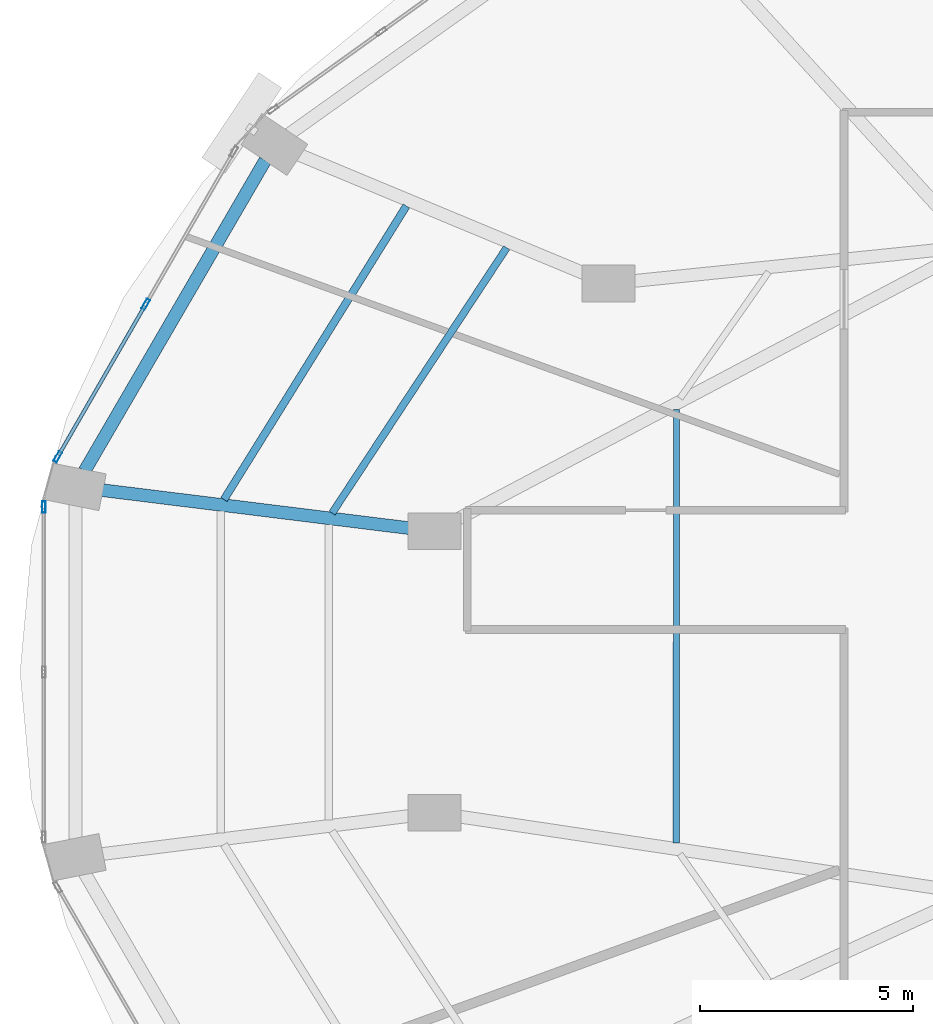
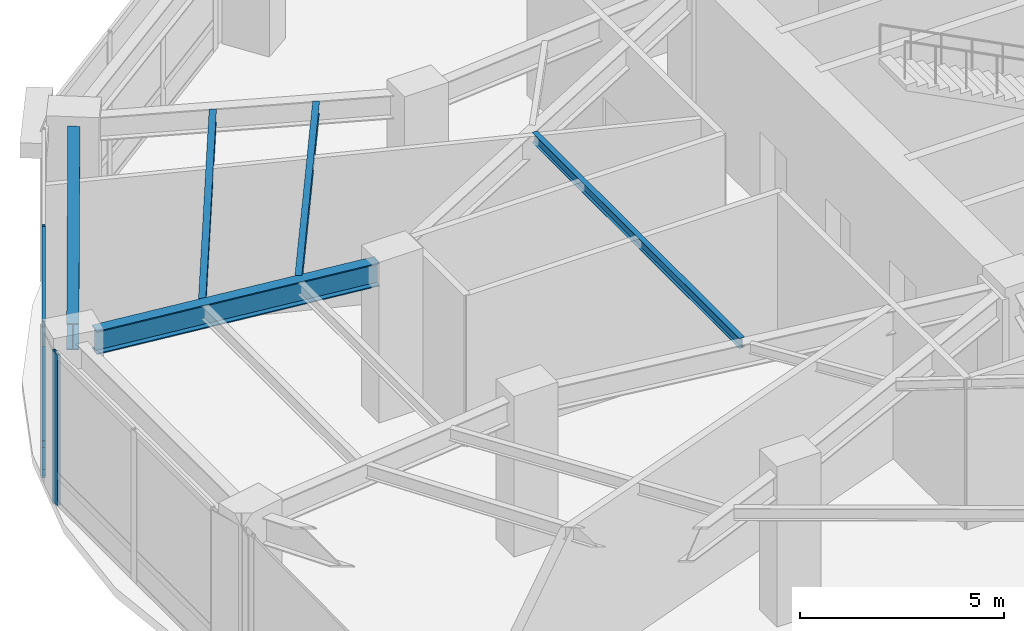
# One storey, part 8 of 24: 6 members, 5 beams, 2 elements without a shape of their own.
"""IFC4 building model written with IfcOpenShell, lengths in metres."""

from ifc_helpers import new_model, si_unit, direction, frame, origin, origin_2d, place, context, subcontext, project, spatial, hollow_rectangle, i_section, extrude, material, layer, layer_set, material_profile, profile_set, type_object, element, aggregate, save


model = new_model("IFC4")

# Units and contexts
model_context = context("Model", 3, precision=1e-05, world=origin(), true_north=direction((0.0, 1.0)))
body_context = subcontext(model_context, "Body", "Model", "MODEL_VIEW")
ifc_project = project(units=[si_unit("LENGTHUNIT", "METRE"), si_unit("AREAUNIT", "SQUARE_METRE"), si_unit("VOLUMEUNIT", "CUBIC_METRE"), si_unit("PLANEANGLEUNIT", "RADIAN"), si_unit("MASSUNIT", "GRAM", prefix="KILO")], contexts=[model_context])

# Site, building, storey
site_placement = place(None, origin())
site = spatial("IfcSite", under=ifc_project, at=site_placement, CompositionType="ELEMENT")
building_placement = place(site_placement, origin())
building = spatial("IfcBuilding", under=site, at=building_placement, Name="Lazwardi Medical Tower", CompositionType="ELEMENT")
storey_placement = place(building_placement, frame((0.0, 0.0, 15.60009765625)))
storey = spatial("IfcBuildingStorey", under=building, at=storey_placement, Name="L03", CompositionType="ELEMENT", Elevation=15.60009765625)

# Beams
ifc_material_1 = material(Name="Steel S355", Category="steel")
ifc_material_profile_1 = material_profile(ifc_material_1, i_section(OverallWidth=0.300048828125, OverallDepth=0.800048828125, WebThickness=0.017578125, FlangeThickness=0.032958984375, at=origin_2d()), Name="HEB 800")
ifc_profile_set_1 = profile_set([ifc_material_profile_1], Name="Steel S355")
beam_type_1 = type_object("IfcBeamType", Name="BM-RB-P1", PredefinedType="BEAM", material=ifc_profile_set_1)
beam_1_placement = place(storey_placement, frame((9.7587890625, 37.617431640625, 4.119873046875), z_axis=(-0.502605874383, -0.864515665003, 0.0), x_axis=(0.864515665003, -0.502605874383, 0.0)))
element("IfcBeam", 1, at=beam_1_placement, inside=storey, type_object=beam_type_1, Name="Ring beam RB-01 B11 L03", PredefinedType="BEAM", context=body_context, shape_type="SweptSolid", body=[
    extrude(i_section(OverallWidth=0.300048828125, OverallDepth=0.800048828125, WebThickness=0.017578125, FlangeThickness=0.032958984375, at=origin_2d()), origin(), (0.0, 0.0, 1.0), 8.4384765625),
])
ifc_material_profile_2 = material_profile(ifc_material_1, i_section(OverallWidth=0.300048828125, OverallDepth=0.699951171875, WebThickness=0.01708984375, FlangeThickness=0.031982421875, at=origin_2d()), Name="HEB 700")
ifc_profile_set_2 = profile_set([ifc_material_profile_2], Name="Steel S355")
beam_type_2 = type_object("IfcBeamType", Name="BM-RG-P1", PredefinedType="BEAM", material=ifc_profile_set_2)
beam_2_placement = place(storey_placement, frame((5.876953125, 29.879150390625, 4.169921875), z_axis=(0.992421549031, -0.122879896728, 0.0), x_axis=(0.122879896728, 0.992421549031, 0.0)))
element("IfcBeam", 2, at=beam_2_placement, inside=storey, type_object=beam_type_2, Name="Radial girder RG-01 R12A L03", PredefinedType="BEAM", context=body_context, shape_type="SweptSolid", body=[
    extrude(i_section(OverallWidth=0.300048828125, OverallDepth=0.699951171875, WebThickness=0.01708984375, FlangeThickness=0.031982421875, at=origin_2d()), origin(), (0.0, 0.0, 1.0), 7.52001953125),
])
ifc_material_profile_3 = material_profile(ifc_material_1, i_section(OverallWidth=0.179931640625, OverallDepth=0.39990234375, WebThickness=0.008544921875, FlangeThickness=0.013427734375, at=origin_2d()), Name="IPE 400")
ifc_profile_set_3 = profile_set([ifc_material_profile_3], Name="Steel S355")
beam_type_3 = type_object("IfcBeamType", Name="BM-SJ-01", PredefinedType="JOIST", material=ifc_profile_set_3)
beam_3_placement = place(storey_placement, frame((13.072509765625, 36.54541015625, 4.31982421875), z_axis=(-0.527696026634, -0.84943328371, 0.0), x_axis=(0.84943328371, -0.527696026634, 0.0)))
element("IfcBeam", 3, at=beam_3_placement, inside=storey, type_object=beam_type_3, Name="Secondary joist SJ-01 RO1 B11 L03", PredefinedType="JOIST", context=body_context, shape_type="SweptSolid", body=[
    extrude(i_section(OverallWidth=0.179931640625, OverallDepth=0.39990234375, WebThickness=0.008544921875, FlangeThickness=0.013427734375, at=origin_2d()), origin(), (0.0, 0.0, 1.0), 8.116455078125),
])
ifc_material_profile_4 = material_profile(ifc_material_1, i_section(OverallWidth=0.169921875, OverallDepth=0.360107421875, WebThickness=0.008056640625, FlangeThickness=0.0126953125, at=origin_2d()), Name="IPE 360")
ifc_profile_set_4 = profile_set([ifc_material_profile_4], Name="Steel S355")
beam_type_4 = type_object("IfcBeamType", Name="BM-SJ-02", PredefinedType="JOIST", material=ifc_profile_set_4)
beam_4_placement = place(storey_placement, frame((15.429931640625, 35.5654296875, 4.33984375), z_axis=(-0.549697059584, -0.835364077924, 0.0), x_axis=(0.835364077924, -0.549697059584, 0.0)))
element("IfcBeam", 4, at=beam_4_placement, inside=storey, type_object=beam_type_4, Name="Secondary joist SJ-02 RO2 B11 L03", PredefinedType="JOIST", context=body_context, shape_type="SweptSolid", body=[
    extrude(i_section(OverallWidth=0.169921875, OverallDepth=0.360107421875, WebThickness=0.008056640625, FlangeThickness=0.0126953125, at=origin_2d()), origin(), (0.0, 0.0, 1.0), 7.45849609375),
])
ifc_material_profile_5 = material_profile(ifc_material_1, i_section(OverallWidth=0.14990234375, OverallDepth=0.300048828125, WebThickness=0.007080078125, FlangeThickness=0.0107421875, at=origin_2d()), Name="IPE 300")
ifc_profile_set_5 = profile_set([ifc_material_profile_5], Name="Steel S355")
beam_type_5 = type_object("IfcBeamType", Name="BM-SJ-03", PredefinedType="JOIST", material=ifc_profile_set_5)
beam_5_placement = place(storey_placement, frame((19.4169921875, 31.763671875, 4.369873046875), z_axis=(-0.000215967168, -0.999999976679, 0.0), x_axis=(0.999999976679, -0.000215967168, 0.0)))
element("IfcBeam", 5, at=beam_5_placement, inside=storey, type_object=beam_type_5, Name="Secondary joist SJ-03 RI1 B12 L03", PredefinedType="JOIST", context=body_context, shape_type="SweptSolid", body=[
    extrude(i_section(OverallWidth=0.14990234375, OverallDepth=0.300048828125, WebThickness=0.007080078125, FlangeThickness=0.0107421875, at=origin_2d()), origin(), (0.0, 0.0, 1.0), 10.174072265625),
])

# Curtain wall, members
ifc_material_2 = material(Name="Anodised bronze aluminium and solar control glazing", Category="aluminium")
ifc_layer = layer(ifc_material_2, 0.219970703125)
ifc_layer_set = layer_set([ifc_layer], Name="Anodised bronze aluminium and solar control glazing")
curtain_wall_type = type_object("IfcCurtainWallType", Name="CW-SYS-01", PredefinedType="NOTDEFINED", material=ifc_layer_set)
curtain_wall_1_placement = place(storey_placement, origin())
curtain_wall_1 = element("IfcCurtainWall", 6, at=curtain_wall_1_placement, inside=storey, type_object=curtain_wall_type, Name="L03 Unitised bronze curtain wall CW-01", PredefinedType="NOTDEFINED")
ifc_material_3 = material(Name="Anodised bronze aluminium", Category="aluminium")
ifc_material_profile_6 = material_profile(ifc_material_3, hollow_rectangle(XDim=0.0849609375, YDim=0.260009765625, WallThickness=0.0048828125, at=origin_2d()), Name="ALU-MULLION 260x85x5")
ifc_profile_set_6 = profile_set([ifc_material_profile_6], Name="Anodised bronze aluminium")
member_type_1 = type_object("IfcMemberType", Name="CW-MUL-02", PredefinedType="MULLION", material=ifc_profile_set_6)
member_1_placement = place(storey_placement, frame((6.95361328125, 34.238037109375, 0.0), z_axis=(0.0, 0.0, 1.0), x_axis=(0.866180607783, -0.499731082384, 0.0)))
member_1 = element("IfcMember", 7, at=member_1_placement, type_object=member_type_1, Name="CW-01 mullion 2", PredefinedType="MULLION", context=body_context, shape_type="SweptSolid", body=[
    extrude(hollow_rectangle(XDim=0.0849609375, YDim=0.260009765625, WallThickness=0.0048828125, at=origin_2d()), origin(), (0.0, 0.0, 1.0), 4.52001953125),
])
member_2_placement = place(storey_placement, frame((4.8857421875, 30.654052734375, 0.0), z_axis=(0.0, 0.0, 1.0), x_axis=(0.866180607783, -0.499731082384, 0.0)))
member_2 = element("IfcMember", 8, at=member_2_placement, type_object=member_type_1, Name="CW-01 mullion 3", PredefinedType="MULLION", context=body_context, shape_type="SweptSolid", body=[
    extrude(hollow_rectangle(XDim=0.0849609375, YDim=0.260009765625, WallThickness=0.0048828125, at=origin_2d()), origin(), (0.0, 0.0, 1.0), 4.52001953125),
])

# Curtain wall, member
curtain_wall_2_placement = place(storey_placement, origin())
curtain_wall_2 = element("IfcCurtainWall", 9, at=curtain_wall_2_placement, inside=storey, type_object=curtain_wall_type, Name="L03 Unitised bronze curtain wall CW-01", PredefinedType="NOTDEFINED")
member_3_placement = place(storey_placement, frame((4.560302734375, 29.476806640625, 0.0), z_axis=(0.0, 0.0, 1.0), x_axis=(1.0, 0.0, 0.0)))
member_3 = element("IfcMember", 10, at=member_3_placement, type_object=member_type_1, Name="CW-01 mullion 1", PredefinedType="MULLION", context=body_context, shape_type="SweptSolid", body=[
    extrude(hollow_rectangle(XDim=0.0849609375, YDim=0.260009765625, WallThickness=0.0048828125, at=origin_2d()), origin(), (0.0, 0.0, 1.0), 4.52001953125),
])
aggregate(curtain_wall_2, [member_3])

# Member
ifc_material_profile_7 = material_profile(ifc_material_3, hollow_rectangle(XDim=0.0849609375, YDim=0.199951171875, WallThickness=0.00439453125, at=origin_2d()), Name="ALU-TRANSOM 200x85x4.5")
ifc_profile_set_7 = profile_set([ifc_material_profile_7], Name="Anodised bronze aluminium")
member_type_2 = type_object("IfcMemberType", Name="CW-TRN-02", PredefinedType="USERDEFINED", material=ifc_profile_set_7)
member_4_placement = place(storey_placement, frame((6.932373046875, 34.201171875, 0.04248046875), z_axis=(-0.499767651026, -0.866159508975, 0.0), x_axis=(0.866159508975, -0.499767651026, 0.0)))
member_4 = element("IfcMember", 11, at=member_4_placement, type_object=member_type_2, Name="CW-01 transom 2.1", ObjectType="TRANSOM", PredefinedType="USERDEFINED", context=body_context, shape_type="SweptSolid", body=[
    extrude(hollow_rectangle(XDim=0.0849609375, YDim=0.199951171875, WallThickness=0.00439453125, at=origin_2d()), origin(), (0.0, 0.0, 1.0), 4.052734375),
])

member_5_placement = place(storey_placement, frame((6.932373046875, 34.201171875, 0.89990234375), z_axis=(-0.499767651026, -0.866159508975, 0.0), x_axis=(0.866159508975, -0.499767651026, 0.0)))
member_5 = element("IfcMember", 12, at=member_5_placement, type_object=member_type_2, Name="CW-01 transom 2.2", ObjectType="TRANSOM", PredefinedType="USERDEFINED", context=body_context, shape_type="SweptSolid", body=[
    extrude(hollow_rectangle(XDim=0.0849609375, YDim=0.199951171875, WallThickness=0.00439453125, at=origin_2d()), origin(), (0.0, 0.0, 1.0), 4.052734375),
])

member_6_placement = place(storey_placement, frame((6.932373046875, 34.201171875, 4.477294921875), z_axis=(-0.499767651026, -0.866159508975, 0.0), x_axis=(0.866159508975, -0.499767651026, 0.0)))
member_6 = element("IfcMember", 13, at=member_6_placement, type_object=member_type_2, Name="CW-01 transom 2.3", ObjectType="TRANSOM", PredefinedType="USERDEFINED", context=body_context, shape_type="SweptSolid", body=[
    extrude(hollow_rectangle(XDim=0.0849609375, YDim=0.199951171875, WallThickness=0.00439453125, at=origin_2d()), origin(), (0.0, 0.0, 1.0), 4.052734375),
])

aggregate(curtain_wall_1, [member_1, member_2, member_4, member_5, member_6])

save(model, "model.ifc")
